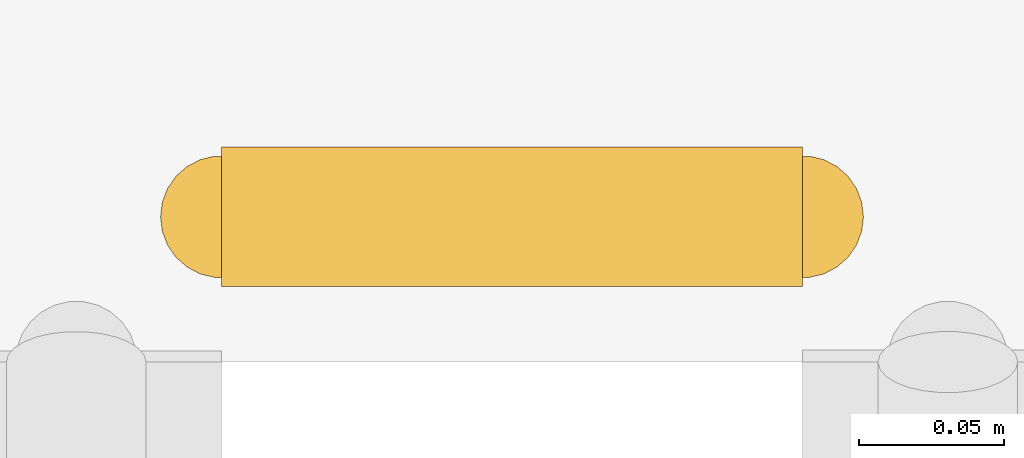
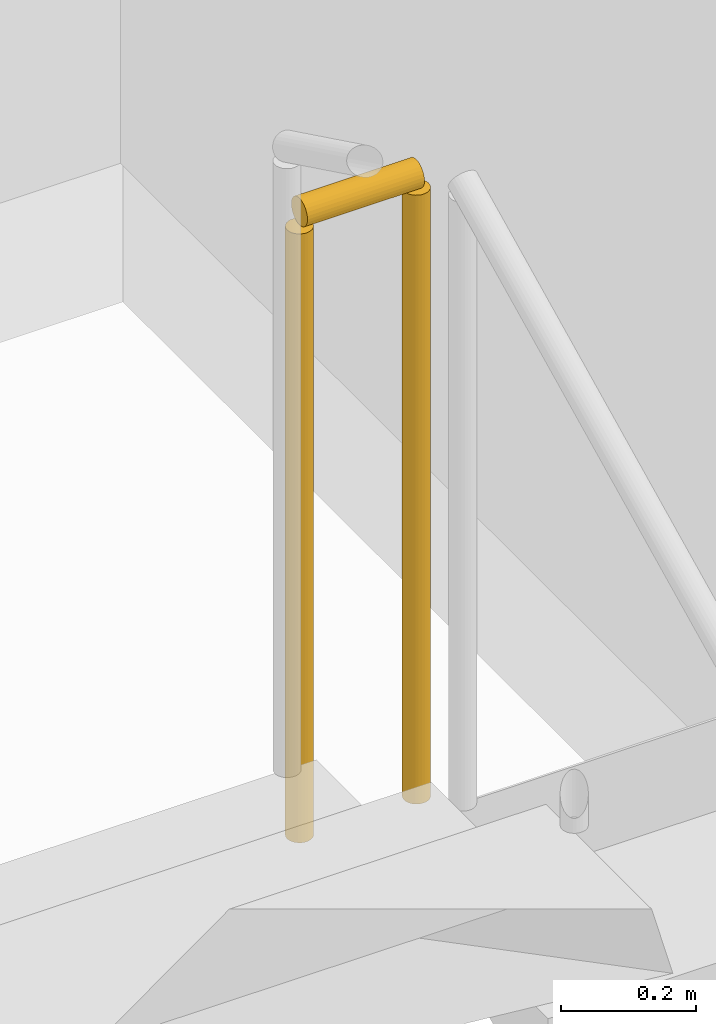
# One storey, part 28 of 29: 1 railing.
"""IFC4 building model written with IfcOpenShell, lengths in metres."""

from ifc_helpers import new_model, si_unit, direction, frame, origin, origin_2d, place, context, subcontext, project, spatial, circle, extrude, material, type_object, element, save


model = new_model("IFC4")

# Units and contexts
model_context = context("Model", 3, precision=1e-05, world=origin(), true_north=direction((0.0, 1.0)))
body_context = subcontext(model_context, "Body", "Model", "MODEL_VIEW")
ifc_project = project(units=[si_unit("LENGTHUNIT", "METRE"), si_unit("AREAUNIT", "SQUARE_METRE"), si_unit("VOLUMEUNIT", "CUBIC_METRE"), si_unit("PLANEANGLEUNIT", "RADIAN"), si_unit("MASSUNIT", "GRAM", prefix="KILO")], contexts=[model_context])

# Site, building, storey
site_placement = place(None, origin())
site = spatial("IfcSite", under=ifc_project, at=site_placement, CompositionType="ELEMENT")
building_placement = place(site_placement, origin())
building = spatial("IfcBuilding", under=site, at=building_placement, Name="Nahalor Promenade Grand Hotel", CompositionType="ELEMENT")
storey_placement = place(building_placement, frame((0.0, 0.0, 189.14990234375)))
storey = spatial("IfcBuildingStorey", under=building, at=storey_placement, Name="L48", CompositionType="ELEMENT", Elevation=189.14990234375)

# Railing
ifc_material = material(Name="Steel S355JR", Category="steel")
railing_type = type_object("IfcRailingType", Name="Steel Stair Guardrail 1150 mm", PredefinedType="GUARDRAIL", material=ifc_material)
railing_placement = place(storey_placement, frame((5.699951171875, 11.550048828125, 1.8251953125)))
element("IfcRailing", 1, at=railing_placement, inside=storey, type_object=railing_type, Name="L48 ST1 stair guard 2", PredefinedType="GUARDRAIL", context=body_context, shape_type="SweptSolid", body=[
    extrude(circle(Radius=0.024048, at=origin_2d()), frame((0.0, 0.0, 1.1259765625), z_axis=(-1.0, 0.0, 0.0), x_axis=(0.0, -1.0, 0.0)), (0.0, 0.0, 1.0), 0.199951171875),
    extrude(circle(Radius=0.020996, at=origin_2d()), origin(), (0.0, 0.0, 1.0), 1.099853515625),
    extrude(circle(Radius=0.020996, at=origin_2d()), frame((-0.199951171875, 0.0, 0.0)), (0.0, 0.0, 1.0), 1.099853515625),
])

save(model, "model.ifc")
